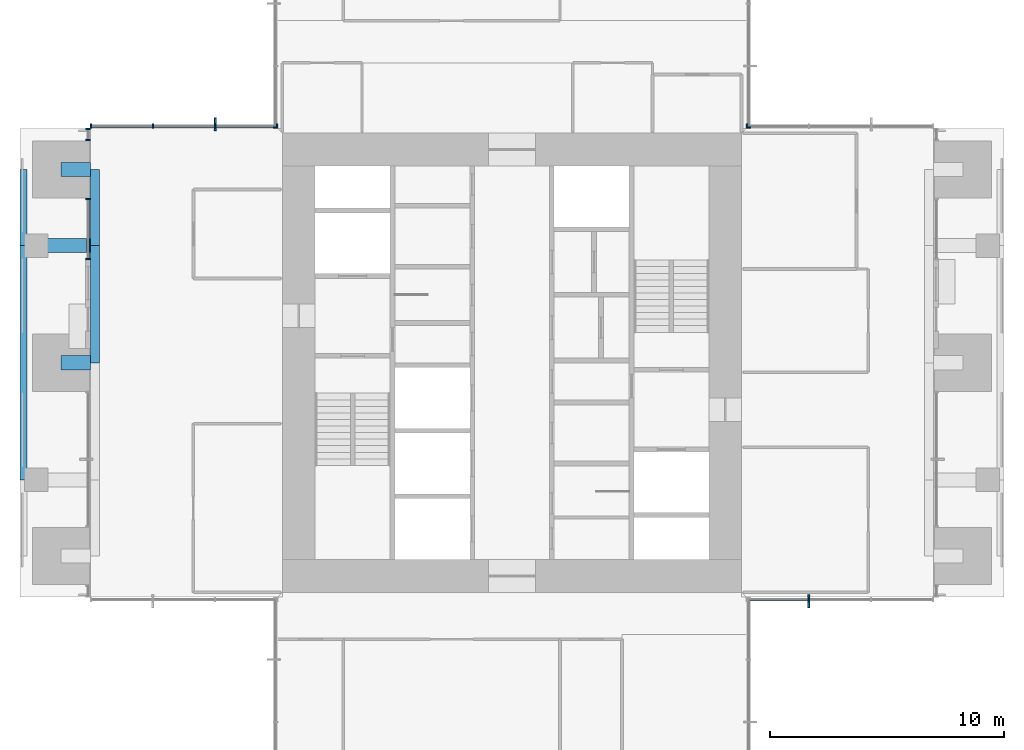
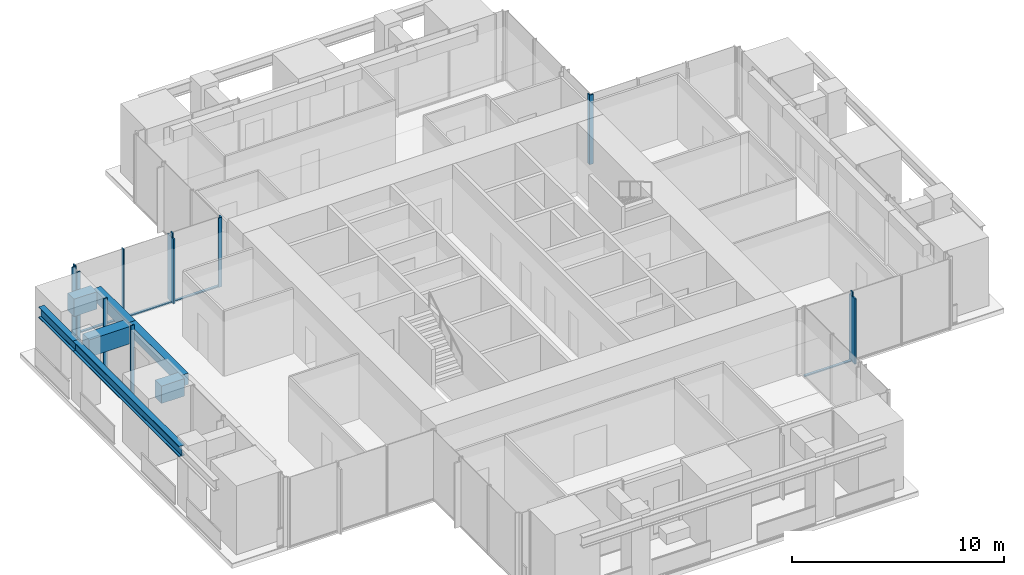
# One storey, part 3 of 17: 19 members, 7 beams, 7 elements without a shape of their own.
"""IFC4 building model written with IfcOpenShell, lengths in metres."""

from ifc_helpers import new_model, si_unit, direction, frame, origin, origin_2d, place, context, subcontext, project, spatial, rectangle, i_section, extrude, material, material_profile, profile_set, type_object, element, aggregate, save


model = new_model("IFC4")

# Units and contexts
model_context = context("Model", 3, precision=1e-05, world=origin(), true_north=direction((0.0, 1.0)))
body_context = subcontext(model_context, "Body", "Model", "MODEL_VIEW")
ifc_project = project(units=[si_unit("LENGTHUNIT", "METRE"), si_unit("AREAUNIT", "SQUARE_METRE"), si_unit("VOLUMEUNIT", "CUBIC_METRE"), si_unit("PLANEANGLEUNIT", "RADIAN"), si_unit("MASSUNIT", "GRAM", prefix="KILO")], contexts=[model_context])

# Site, building, storey
site_placement = place(None, origin())
site = spatial("IfcSite", under=ifc_project, at=site_placement, CompositionType="ELEMENT")
building_placement = place(site_placement, origin())
building = spatial("IfcBuilding", under=site, at=building_placement, Name="Svetlomir Tower", CompositionType="ELEMENT")
storey_placement = place(building_placement, frame((0.0, 0.0, 174.5)))
storey = spatial("IfcBuildingStorey", under=building, at=storey_placement, Name="L41", CompositionType="ELEMENT", Elevation=174.5)

# Curtain wall, member
ifc_material_1 = material(Name="Bronze anodised aluminium curtain wall", Category="aluminium")
curtain_wall_type = type_object("IfcCurtainWallType", Name="CURTAIN WALL CW1 TOWER OFFICE", PredefinedType="NOTDEFINED", material=ifc_material_1)
curtain_wall_1_placement = place(storey_placement, origin())
curtain_wall_1 = element("IfcCurtainWall", 1, at=curtain_wall_1_placement, inside=storey, type_object=curtain_wall_type, Name="Curtain wall CW1 L41", PredefinedType="NOTDEFINED")
ifc_material_2 = material(Name="Bronze anodised aluminium", Category="aluminium")
ifc_material_profile_1 = material_profile(ifc_material_2, rectangle(XDim=0.080078125, YDim=0.550048828125, at=origin_2d()), Name="FIN 80x550")
ifc_profile_set_1 = profile_set([ifc_material_profile_1], Name="Bronze anodised aluminium 6063-T6")
member_type_1 = type_object("IfcMemberType", Name="BRONZE FIN 80x550", PredefinedType="USERDEFINED", material=ifc_profile_set_1)
member_1_placement = place(storey_placement, frame((33.666748046875, 10.824951171875, 0.0), z_axis=(0.0, 0.0, 1.0), x_axis=(1.0, 0.0, 0.0)))
member_1 = element("IfcMember", 2, at=member_1_placement, type_object=member_type_1, Name="Bronze fin L41", ObjectType="FIN", PredefinedType="USERDEFINED", context=body_context, shape_type="SweptSolid", body=[
    extrude(rectangle(XDim=0.080078125, YDim=0.550048828125, at=origin_2d()), origin(), (0.0, 0.0, 1.0), 3.75),
])

curtain_wall_2_placement = place(storey_placement, origin())
curtain_wall_2 = element("IfcCurtainWall", 3, at=curtain_wall_2_placement, inside=storey, type_object=curtain_wall_type, Name="Curtain wall CW1 L41", PredefinedType="NOTDEFINED")
member_2_placement = place(storey_placement, frame((8.333251953125, 31.175048828125, 0.0), z_axis=(0.0, 0.0, 1.0), x_axis=(1.0, 0.0, 0.0)))
member_2 = element("IfcMember", 4, at=member_2_placement, type_object=member_type_1, Name="Bronze fin L41", ObjectType="FIN", PredefinedType="USERDEFINED", context=body_context, shape_type="SweptSolid", body=[
    extrude(rectangle(XDim=0.080078125, YDim=0.550048828125, at=origin_2d()), origin(), (0.0, 0.0, 1.0), 3.75),
])

# Member
ifc_material_3 = material(Name="Bronze anodised aluminium", Category="aluminium")
ifc_material_profile_2 = material_profile(ifc_material_3, rectangle(XDim=0.06494140625, YDim=0.199951171875, at=origin_2d()), Name="AL 65x200")
ifc_profile_set_2 = profile_set([ifc_material_profile_2], Name="Bronze anodised aluminium 6063-T6")
member_type_2 = type_object("IfcMemberType", Name="CW1 MULLION 65x200", PredefinedType="MULLION", material=ifc_profile_set_2)
member_3_placement = place(storey_placement, frame((33.666748046875, 10.89990234375, 0.0), z_axis=(0.0, 0.0, 1.0), x_axis=(1.0, 0.0, 0.0)))
member_3 = element("IfcMember", 5, at=member_3_placement, type_object=member_type_2, Name="CW1 mullion 2", PredefinedType="MULLION", context=body_context, shape_type="SweptSolid", body=[
    extrude(rectangle(XDim=0.06494140625, YDim=0.199951171875, at=origin_2d()), origin(), (0.0, 0.0, 1.0), 4.0),
])

# Curtain wall, member
curtain_wall_3_placement = place(storey_placement, origin())
curtain_wall_3 = element("IfcCurtainWall", 6, at=curtain_wall_3_placement, inside=storey, type_object=curtain_wall_type, Name="Curtain wall CW1 L41", PredefinedType="NOTDEFINED")
member_4_placement = place(storey_placement, frame((31.032470703125, 31.10009765625, 0.0), z_axis=(0.0, 0.0, 1.0), x_axis=(-1.0, 0.0, 0.0)))
member_4 = element("IfcMember", 7, at=member_4_placement, type_object=member_type_2, Name="CW1 mullion 4", PredefinedType="MULLION", context=body_context, shape_type="SweptSolid", body=[
    extrude(rectangle(XDim=0.06494140625, YDim=0.199951171875, at=origin_2d()), origin(), (0.0, 0.0, 1.0), 4.0),
])
aggregate(curtain_wall_3, [member_4])

curtain_wall_4_placement = place(storey_placement, origin())
curtain_wall_4 = element("IfcCurtainWall", 8, at=curtain_wall_4_placement, inside=storey, type_object=curtain_wall_type, Name="Curtain wall CW1 L41", PredefinedType="NOTDEFINED")
member_5_placement = place(storey_placement, frame((31.10009765625, 31.032470703125, 0.0), z_axis=(0.0, 0.0, 1.0), x_axis=(0.0, 1.0, 0.0)))
member_5 = element("IfcMember", 9, at=member_5_placement, type_object=member_type_2, Name="CW1 mullion 1", PredefinedType="MULLION", context=body_context, shape_type="SweptSolid", body=[
    extrude(rectangle(XDim=0.06494140625, YDim=0.199951171875, at=origin_2d()), origin(), (0.0, 0.0, 1.0), 4.0),
])
aggregate(curtain_wall_4, [member_5])

curtain_wall_5_placement = place(storey_placement, origin())
curtain_wall_5 = element("IfcCurtainWall", 10, at=curtain_wall_5_placement, inside=storey, type_object=curtain_wall_type, Name="Curtain wall CW1 L41", PredefinedType="NOTDEFINED")
member_6_placement = place(storey_placement, frame((10.89990234375, 31.032470703125, 0.0), z_axis=(0.0, 0.0, 1.0), x_axis=(0.0, -1.0, 0.0)))
member_6 = element("IfcMember", 11, at=member_6_placement, type_object=member_type_2, Name="CW1 mullion 4", PredefinedType="MULLION", context=body_context, shape_type="SweptSolid", body=[
    extrude(rectangle(XDim=0.06494140625, YDim=0.199951171875, at=origin_2d()), origin(), (0.0, 0.0, 1.0), 4.0),
])
aggregate(curtain_wall_5, [member_6])

# Member
member_7_placement = place(storey_placement, frame((10.967529296875, 31.10009765625, 0.0), z_axis=(0.0, 0.0, 1.0), x_axis=(-1.0, 0.0, 0.0)))
member_7 = element("IfcMember", 12, at=member_7_placement, type_object=member_type_2, Name="CW1 mullion 1", PredefinedType="MULLION", context=body_context, shape_type="SweptSolid", body=[
    extrude(rectangle(XDim=0.06494140625, YDim=0.199951171875, at=origin_2d()), origin(), (0.0, 0.0, 1.0), 4.0),
])

member_8_placement = place(storey_placement, frame((8.333251953125, 31.10009765625, 0.0), z_axis=(0.0, 0.0, 1.0), x_axis=(-1.0, 0.0, 0.0)))
member_8 = element("IfcMember", 13, at=member_8_placement, type_object=member_type_2, Name="CW1 mullion 2", PredefinedType="MULLION", context=body_context, shape_type="SweptSolid", body=[
    extrude(rectangle(XDim=0.06494140625, YDim=0.199951171875, at=origin_2d()), origin(), (0.0, 0.0, 1.0), 4.0),
])

member_9_placement = place(storey_placement, frame((5.666748046875, 31.10009765625, 0.0), z_axis=(0.0, 0.0, 1.0), x_axis=(-1.0, 0.0, 0.0)))
member_9 = element("IfcMember", 14, at=member_9_placement, type_object=member_type_2, Name="CW1 mullion 3", PredefinedType="MULLION", context=body_context, shape_type="SweptSolid", body=[
    extrude(rectangle(XDim=0.06494140625, YDim=0.199951171875, at=origin_2d()), origin(), (0.0, 0.0, 1.0), 4.0),
])

member_10_placement = place(storey_placement, frame((3.032470703125, 31.10009765625, 0.0), z_axis=(0.0, 0.0, 1.0), x_axis=(-1.0, 0.0, 0.0)))
member_10 = element("IfcMember", 15, at=member_10_placement, type_object=member_type_2, Name="CW1 mullion 4", PredefinedType="MULLION", context=body_context, shape_type="SweptSolid", body=[
    extrude(rectangle(XDim=0.06494140625, YDim=0.199951171875, at=origin_2d()), origin(), (0.0, 0.0, 1.0), 4.0),
])

# Curtain wall, members
curtain_wall_6_placement = place(storey_placement, origin())
curtain_wall_6 = element("IfcCurtainWall", 16, at=curtain_wall_6_placement, inside=storey, type_object=curtain_wall_type, Name="Curtain wall CW1 L41", PredefinedType="NOTDEFINED")
member_11_placement = place(storey_placement, frame((2.89990234375, 30.967529296875, 0.0), z_axis=(0.0, 0.0, 1.0), x_axis=(0.0, -1.0, 0.0)))
member_11 = element("IfcMember", 17, at=member_11_placement, type_object=member_type_2, Name="CW1 mullion 1", PredefinedType="MULLION", context=body_context, shape_type="SweptSolid", body=[
    extrude(rectangle(XDim=0.06494140625, YDim=0.199951171875, at=origin_2d()), origin(), (0.0, 0.0, 1.0), 4.0),
])
member_12_placement = place(storey_placement, frame((2.89990234375, 30.507568359375, 0.0), z_axis=(0.0, 0.0, 1.0), x_axis=(0.0, -1.0, 0.0)))
member_12 = element("IfcMember", 18, at=member_12_placement, type_object=member_type_2, Name="CW1 mullion 2", PredefinedType="MULLION", context=body_context, shape_type="SweptSolid", body=[
    extrude(rectangle(XDim=0.06494140625, YDim=0.199951171875, at=origin_2d()), origin(), (0.0, 0.0, 1.0), 4.0),
])
aggregate(curtain_wall_6, [member_11, member_12])

curtain_wall_7_placement = place(storey_placement, origin())
curtain_wall_7 = element("IfcCurtainWall", 19, at=curtain_wall_7_placement, inside=storey, type_object=curtain_wall_type, Name="Curtain wall CW1 L41", PredefinedType="NOTDEFINED")
member_13_placement = place(storey_placement, frame((2.89990234375, 27.992431640625, 0.0), z_axis=(0.0, 0.0, 1.0), x_axis=(0.0, -1.0, 0.0)))
member_13 = element("IfcMember", 20, at=member_13_placement, type_object=member_type_2, Name="CW1 mullion 1", PredefinedType="MULLION", context=body_context, shape_type="SweptSolid", body=[
    extrude(rectangle(XDim=0.06494140625, YDim=0.199951171875, at=origin_2d()), origin(), (0.0, 0.0, 1.0), 4.0),
])
member_14_placement = place(storey_placement, frame((2.89990234375, 25.4326171875, 0.0), z_axis=(0.0, 0.0, 1.0), x_axis=(0.0, -1.0, 0.0)))
member_14 = element("IfcMember", 21, at=member_14_placement, type_object=member_type_2, Name="CW1 mullion 2", PredefinedType="MULLION", context=body_context, shape_type="SweptSolid", body=[
    extrude(rectangle(XDim=0.06494140625, YDim=0.199951171875, at=origin_2d()), origin(), (0.0, 0.0, 1.0), 4.0),
])

# Member
ifc_material_4 = material(Name="Bronze anodised aluminium", Category="aluminium")
ifc_material_profile_3 = material_profile(ifc_material_4, rectangle(XDim=0.139892578125, YDim=0.06494140625, at=origin_2d()), Name="AL 140x65")
ifc_profile_set_3 = profile_set([ifc_material_profile_3], Name="Bronze anodised aluminium 6063-T6")
member_type_3 = type_object("IfcMemberType", Name="CW1 TRANSOM 65x140", PredefinedType="USERDEFINED", material=ifc_profile_set_3)
member_15_placement = place(storey_placement, frame((31.06494140625, 10.89990234375, 0.032470703125), z_axis=(1.0, 0.0, 0.0), x_axis=(0.0, 1.0, 0.0)))
member_15 = element("IfcMember", 22, at=member_15_placement, type_object=member_type_3, Name="CW1 transom 1.1", ObjectType="TRANSOM", PredefinedType="USERDEFINED", context=body_context, shape_type="SweptSolid", body=[
    extrude(rectangle(XDim=0.139892578125, YDim=0.06494140625, at=origin_2d()), origin(), (0.0, 0.0, 1.0), 2.5693359375),
])

aggregate(curtain_wall_1, [member_3, member_15, member_1])

member_16_placement = place(storey_placement, frame((10.93505859375, 31.10009765625, 0.032470703125), z_axis=(-1.0, 0.0, 0.0), x_axis=(0.0, -1.0, 0.0)))
member_16 = element("IfcMember", 23, at=member_16_placement, type_object=member_type_3, Name="CW1 transom 1.1", ObjectType="TRANSOM", PredefinedType="USERDEFINED", context=body_context, shape_type="SweptSolid", body=[
    extrude(rectangle(XDim=0.139892578125, YDim=0.06494140625, at=origin_2d()), origin(), (0.0, 0.0, 1.0), 2.5693359375),
])

member_17_placement = place(storey_placement, frame((8.30078125, 31.10009765625, 0.032470703125), z_axis=(-1.0, 0.0, 0.0), x_axis=(0.0, -1.0, 0.0)))
member_17 = element("IfcMember", 24, at=member_17_placement, type_object=member_type_3, Name="CW1 transom 2.1", ObjectType="TRANSOM", PredefinedType="USERDEFINED", context=body_context, shape_type="SweptSolid", body=[
    extrude(rectangle(XDim=0.139892578125, YDim=0.06494140625, at=origin_2d()), origin(), (0.0, 0.0, 1.0), 2.6015625),
])

member_18_placement = place(storey_placement, frame((5.63427734375, 31.10009765625, 0.032470703125), z_axis=(-1.0, 0.0, 0.0), x_axis=(0.0, -1.0, 0.0)))
member_18 = element("IfcMember", 25, at=member_18_placement, type_object=member_type_3, Name="CW1 transom 3.1", ObjectType="TRANSOM", PredefinedType="USERDEFINED", context=body_context, shape_type="SweptSolid", body=[
    extrude(rectangle(XDim=0.139892578125, YDim=0.06494140625, at=origin_2d()), origin(), (0.0, 0.0, 1.0), 2.5693359375),
])

aggregate(curtain_wall_2, [member_7, member_8, member_9, member_10, member_16, member_17, member_18, member_2])

member_19_placement = place(storey_placement, frame((2.89990234375, 27.9599609375, 0.032470703125), z_axis=(0.0, -1.0, 0.0), x_axis=(1.0, 0.0, 0.0)))
member_19 = element("IfcMember", 26, at=member_19_placement, type_object=member_type_3, Name="CW1 transom 1.1", ObjectType="TRANSOM", PredefinedType="USERDEFINED", context=body_context, shape_type="SweptSolid", body=[
    extrude(rectangle(XDim=0.139892578125, YDim=0.06494140625, at=origin_2d()), origin(), (0.0, 0.0, 1.0), 2.494873046875),
])

aggregate(curtain_wall_7, [member_13, member_14, member_19])

# Beams
ifc_material_5 = material(Name="Steel S355", Category="steel")
ifc_material_profile_4 = material_profile(ifc_material_5, i_section(OverallWidth=0.304931640625, OverallDepth=0.6201171875, WebThickness=0.02099609375, FlangeThickness=0.0400390625, FilletRadius=0.027099609375, at=origin_2d()), Name="HEM 600")
ifc_profile_set_4 = profile_set([ifc_material_profile_4], Name="Steel S355")
beam_type_1 = type_object("IfcBeamType", Name="EDGE BEAM HEM 600", PredefinedType="SPANDREL", material=ifc_profile_set_4)
beam_1_placement = place(storey_placement, frame((0.152587890625, 16.0, 3.43994140625), z_axis=(0.0, 1.0, 0.0), x_axis=(-1.0, 0.0, 0.0)))
element("IfcBeam", 27, at=beam_1_placement, inside=storey, type_object=beam_type_1, Name="Edge beam 0/16 to 0/26 under L42", PredefinedType="SPANDREL", context=body_context, shape_type="SweptSolid", body=[
    extrude(i_section(OverallWidth=0.304931640625, OverallDepth=0.6201171875, WebThickness=0.02099609375, FlangeThickness=0.0400390625, FilletRadius=0.027099609375, at=origin_2d()), origin(), (0.0, 0.0, 1.0), 10.0),
])
beam_2_placement = place(storey_placement, frame((0.152587890625, 26.0, 3.43994140625), z_axis=(0.0, 1.0, 0.0), x_axis=(-1.0, 0.0, 0.0)))
element("IfcBeam", 28, at=beam_2_placement, inside=storey, type_object=beam_type_1, Name="Edge beam 0/26 to 0/31 under L42", PredefinedType="SPANDREL", context=body_context, shape_type="SweptSolid", body=[
    extrude(i_section(OverallWidth=0.304931640625, OverallDepth=0.6201171875, WebThickness=0.02099609375, FlangeThickness=0.0400390625, FilletRadius=0.027099609375, at=origin_2d()), origin(), (0.0, 0.0, 1.0), 3.25),
])
ifc_material_6 = material(Name="Concrete C60/75", Category="concrete")
ifc_material_profile_5 = material_profile(ifc_material_6, rectangle(XDim=0.39990234375, YDim=0.64990234375, at=origin_2d()), Name="RC 400x650")
ifc_profile_set_5 = profile_set([ifc_material_profile_5], Name="Concrete C60/75")
beam_type_2 = type_object("IfcBeamType", Name="FACADE EDGE BEAM RC 400x650", PredefinedType="BEAM", material=ifc_profile_set_5)
beam_3_placement = place(storey_placement, frame((3.199951171875, 21.0, 3.425048828125), z_axis=(0.0, 1.0, 0.0), x_axis=(-1.0, 0.0, 0.0)))
element("IfcBeam", 29, at=beam_3_placement, inside=storey, type_object=beam_type_2, Name="Facade edge beam W 21 to 26 under L42", PredefinedType="BEAM", context=body_context, shape_type="SweptSolid", body=[
    extrude(rectangle(XDim=0.39990234375, YDim=0.64990234375, at=origin_2d()), origin(), (0.0, 0.0, 1.0), 5.0),
])
beam_4_placement = place(storey_placement, frame((3.199951171875, 26.0, 3.425048828125), z_axis=(0.0, 1.0, 0.0), x_axis=(-1.0, 0.0, 0.0)))
element("IfcBeam", 30, at=beam_4_placement, inside=storey, type_object=beam_type_2, Name="Facade edge beam W 26 to 31 under L42", PredefinedType="BEAM", context=body_context, shape_type="SweptSolid", body=[
    extrude(rectangle(XDim=0.39990234375, YDim=0.64990234375, at=origin_2d()), origin(), (0.0, 0.0, 1.0), 3.25),
])
ifc_material_7 = material(Name="Concrete C60/75", Category="concrete")
ifc_material_profile_6 = material_profile(ifc_material_7, rectangle(XDim=0.60009765625, YDim=1.0, at=origin_2d()), Name="RC 600x1000")
ifc_profile_set_6 = profile_set([ifc_material_profile_6], Name="Concrete C60/75")
beam_type_3 = type_object("IfcBeamType", Name="LOGGIA LINK BEAM RC 600x1000", PredefinedType="BEAM", material=ifc_profile_set_6)
beam_5_placement = place(storey_placement, frame((1.75, 21.0, 3.25), z_axis=(1.0, 0.0, 0.0), x_axis=(0.0, 1.0, 0.0)))
element("IfcBeam", 31, at=beam_5_placement, inside=storey, type_object=beam_type_3, Name="Loggia link beam W 21 under L42", PredefinedType="BEAM", context=body_context, shape_type="SweptSolid", body=[
    extrude(rectangle(XDim=0.60009765625, YDim=1.0, at=origin_2d()), origin(), (0.0, 0.0, 1.0), 1.25),
])
beam_6_placement = place(storey_placement, frame((0.699951171875, 26.0, 3.25), z_axis=(1.0, 0.0, 0.0), x_axis=(0.0, 1.0, 0.0)))
element("IfcBeam", 32, at=beam_6_placement, inside=storey, type_object=beam_type_3, Name="Loggia link beam W 26 under L42", PredefinedType="BEAM", context=body_context, shape_type="SweptSolid", body=[
    extrude(rectangle(XDim=0.60009765625, YDim=1.0, at=origin_2d()), origin(), (0.0, 0.0, 1.0), 2.300048828125),
])
beam_7_placement = place(storey_placement, frame((1.75, 29.25, 3.25), z_axis=(1.0, 0.0, 0.0), x_axis=(0.0, 1.0, 0.0)))
element("IfcBeam", 33, at=beam_7_placement, inside=storey, type_object=beam_type_3, Name="Loggia link beam W 31 under L42", PredefinedType="BEAM", context=body_context, shape_type="SweptSolid", body=[
    extrude(rectangle(XDim=0.60009765625, YDim=1.0, at=origin_2d()), origin(), (0.0, 0.0, 1.0), 1.25),
])

save(model, "model.ifc")
